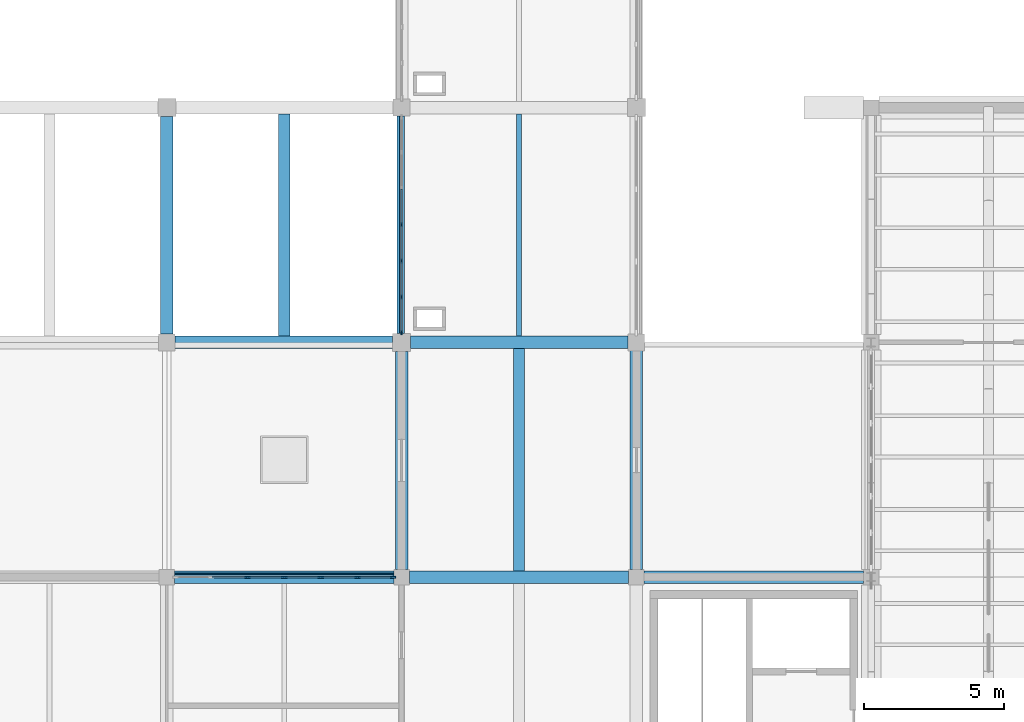
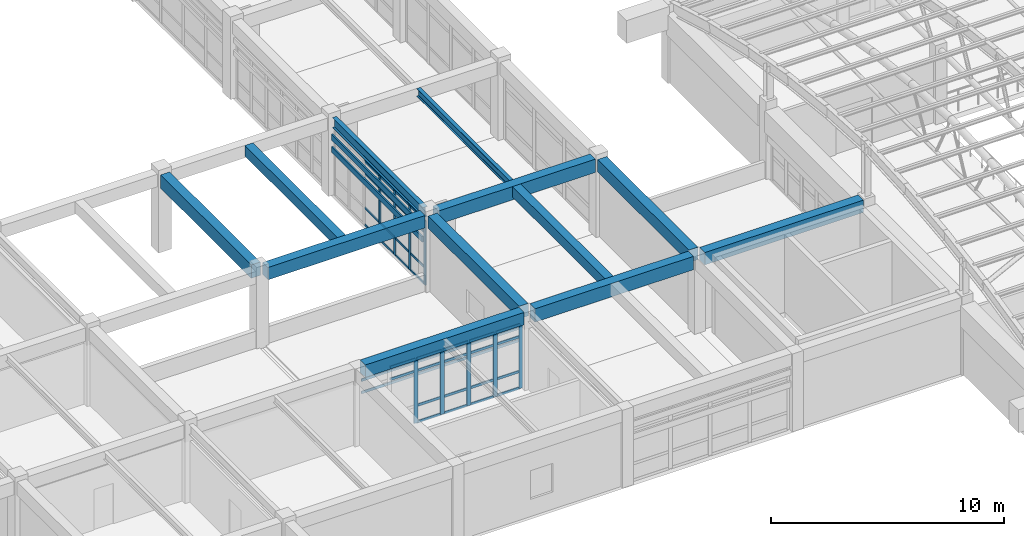
# One storey, part 15 of 74: 47 members, 12 beams, 2 elements without a shape of their own.
"""IFC4 building model written with IfcOpenShell, lengths in metres."""

from ifc_helpers import new_model, si_unit, direction, frame, origin, origin_2d, place, context, subcontext, project, spatial, rectangle, i_section, extrude, material, layer, layer_set, material_profile, profile_set, type_object, element, aggregate, save


model = new_model("IFC4")

# Units and contexts
model_context = context("Model", 3, precision=1e-05, world=origin(), true_north=direction((0.0, 1.0)))
body_context = subcontext(model_context, "Body", "Model", "MODEL_VIEW")
ifc_project = project(units=[si_unit("LENGTHUNIT", "METRE"), si_unit("AREAUNIT", "SQUARE_METRE"), si_unit("VOLUMEUNIT", "CUBIC_METRE"), si_unit("PLANEANGLEUNIT", "RADIAN"), si_unit("MASSUNIT", "GRAM", prefix="KILO")], contexts=[model_context])

# Site, building, storey
site_placement = place(None, origin())
site = spatial("IfcSite", under=ifc_project, at=site_placement, CompositionType="ELEMENT")
building_placement = place(site_placement, origin())
building = spatial("IfcBuilding", under=site, at=building_placement, Name="Porcellanite Civic Hall", CompositionType="ELEMENT")
storey_placement = place(building_placement, frame((0.0, 0.0, 14.760009765625)))
storey = spatial("IfcBuildingStorey", under=building, at=storey_placement, Name="L03", CompositionType="ELEMENT", Elevation=14.760009765625)

# Beams
ifc_material_1 = material(Name="Concrete N50 (50 MPa)", Category="concrete")
ifc_material_profile_1 = material_profile(ifc_material_1, rectangle(XDim=0.39990234375, YDim=0.550048828125, at=origin_2d()), Name="RC-400x550")
ifc_profile_set_1 = profile_set([ifc_material_profile_1], Name="Concrete N50 (50 MPa)")
beam_type_1 = type_object("IfcBeamType", Name="BM-RC550", PredefinedType="JOIST", material=ifc_profile_set_1)
beam_1_placement = place(storey_placement, frame((46.199951171875, 67.424560546875, 3.794921875), z_axis=(0.0, 1.0, 0.0), x_axis=(-1.0, 0.0, 0.0)))
element("IfcBeam", 1, at=beam_1_placement, inside=storey, type_object=beam_type_1, Name="Secondary joist L03 6-9", PredefinedType="JOIST", context=body_context, shape_type="SweptSolid", body=[
    extrude(rectangle(XDim=0.39990234375, YDim=0.550048828125, at=origin_2d()), origin(), (0.0, 0.0, 1.0), 7.950927734375),
])
beam_2_placement = place(storey_placement, frame((54.60009765625, 59.0244140625, 3.794921875), z_axis=(0.0, 1.0, 0.0), x_axis=(-1.0, 0.0, 0.0)))
element("IfcBeam", 2, at=beam_2_placement, inside=storey, type_object=beam_type_1, Name="Secondary joist L03 7-8", PredefinedType="JOIST", context=body_context, shape_type="SweptSolid", body=[
    extrude(rectangle(XDim=0.39990234375, YDim=0.550048828125, at=origin_2d()), origin(), (0.0, 0.0, 1.0), 7.951171875),
])
ifc_material_2 = material(Name="Concrete N50 (50 MPa)", Category="concrete")
ifc_material_profile_2 = material_profile(ifc_material_2, rectangle(XDim=0.449951171875, YDim=0.64990234375, at=origin_2d()), Name="RC-450x650")
ifc_profile_set_2 = profile_set([ifc_material_profile_2], Name="Concrete N50 (50 MPa)")
beam_type_2 = type_object("IfcBeamType", Name="BM-RC650", PredefinedType="SPANDREL", material=ifc_profile_set_2)
beam_3_placement = place(storey_placement, frame((42.2744140625, 58.800048828125, 3.744873046875), z_axis=(1.0, 0.0, 0.0), x_axis=(0.0, 1.0, 0.0)))
element("IfcBeam", 3, at=beam_3_placement, inside=storey, type_object=beam_type_2, Name="Beam X L03 6-8", PredefinedType="SPANDREL", context=body_context, shape_type="SweptSolid", body=[
    extrude(rectangle(XDim=0.449951171875, YDim=0.64990234375, at=origin_2d()), origin(), (0.0, 0.0, 1.0), 7.85107421875),
])
beam_4_placement = place(storey_placement, frame((42.299560546875, 67.199951171875, 3.744873046875), z_axis=(1.0, 0.0, 0.0), x_axis=(0.0, 1.0, 0.0)))
element("IfcBeam", 4, at=beam_4_placement, inside=storey, type_object=beam_type_2, Name="Beam X L03 6-9", PredefinedType="SPANDREL", context=body_context, shape_type="SweptSolid", body=[
    extrude(rectangle(XDim=0.449951171875, YDim=0.64990234375, at=origin_2d()), origin(), (0.0, 0.0, 1.0), 7.77587890625),
])
beam_5_placement = place(storey_placement, frame((59.074462890625, 58.800048828125, 3.744873046875), z_axis=(1.0, 0.0, 0.0), x_axis=(0.0, 1.0, 0.0)))
element("IfcBeam", 5, at=beam_5_placement, inside=storey, type_object=beam_type_2, Name="Beam X L03 8-8", PredefinedType="SPANDREL", context=body_context, shape_type="SweptSolid", body=[
    extrude(rectangle(XDim=0.449951171875, YDim=0.64990234375, at=origin_2d()), origin(), (0.0, 0.0, 1.0), 7.85107421875),
])
beam_6_placement = place(storey_placement, frame((50.39990234375, 59.074462890625, 3.744873046875), z_axis=(0.0, 1.0, 0.0), x_axis=(-1.0, 0.0, 0.0)))
element("IfcBeam", 6, at=beam_6_placement, inside=storey, type_object=beam_type_2, Name="Beam Y L03 7-8", PredefinedType="SPANDREL", context=body_context, shape_type="SweptSolid", body=[
    extrude(rectangle(XDim=0.449951171875, YDim=0.64990234375, at=origin_2d()), origin(), (0.0, 0.0, 1.0), 7.801025390625),
])
beam_7_placement = place(storey_placement, frame((58.800048828125, 59.074462890625, 3.744873046875), z_axis=(0.0, 1.0, 0.0), x_axis=(-1.0, 0.0, 0.0)))
element("IfcBeam", 7, at=beam_7_placement, inside=storey, type_object=beam_type_2, Name="Beam Y L03 8-8", PredefinedType="SPANDREL", context=body_context, shape_type="SweptSolid", body=[
    extrude(rectangle(XDim=0.449951171875, YDim=0.64990234375, at=origin_2d()), origin(), (0.0, 0.0, 1.0), 7.825927734375),
])
ifc_material_3 = material(Name="Concrete N50 (50 MPa)", Category="concrete")
ifc_material_profile_3 = material_profile(ifc_material_3, rectangle(XDim=0.449951171875, YDim=0.699951171875, at=origin_2d()), Name="RC-450x700")
ifc_profile_set_3 = profile_set([ifc_material_profile_3], Name="Concrete N50 (50 MPa)")
beam_type_3 = type_object("IfcBeamType", Name="BM-RC700", PredefinedType="BEAM", material=ifc_profile_set_3)
beam_8_placement = place(storey_placement, frame((50.674560546875, 58.800048828125, 3.719970703125), z_axis=(1.0, 0.0, 0.0), x_axis=(0.0, 1.0, 0.0)))
element("IfcBeam", 8, at=beam_8_placement, inside=storey, type_object=beam_type_3, Name="Beam X L03 7-8", PredefinedType="BEAM", context=body_context, shape_type="SweptSolid", body=[
    extrude(rectangle(XDim=0.449951171875, YDim=0.699951171875, at=origin_2d()), origin(), (0.0, 0.0, 1.0), 7.850830078125),
])
for number, where, z_axis, x_axis, name in (
    (9, (50.724609375, 67.199951171875, 3.719970703125), (1.0, 0.0, 0.0), (0.0, 1.0, 0.0), "Beam X L03 7-9"),
    (10, (42.0, 67.49951171875, 3.719970703125), (0.0, 1.0, 0.0), (-1.0, 0.0, 0.0), "Beam Y L03 6-9"),
):
    element("IfcBeam", number, at=place(storey_placement, frame(where, z_axis=z_axis, x_axis=x_axis)), inside=storey, type_object=beam_type_3, Name=name, PredefinedType="BEAM", context=body_context, shape_type="SweptSolid", body=[
        extrude(rectangle(XDim=0.449951171875, YDim=0.699951171875, at=origin_2d()), origin(), (0.0, 0.0, 1.0), 7.77587890625),
    ])

# Curtain wall, members
ifc_material_4 = material(Name="Anodised aluminium and solar laminated glass", Category="aluminium")
ifc_layer_1 = layer(ifc_material_4, 0.179931640625)
ifc_layer_set_1 = layer_set([ifc_layer_1], Name="Anodised aluminium and solar laminated glass")
curtain_wall_type_1 = type_object("IfcCurtainWallType", Name="CW-SYS01", PredefinedType="NOTDEFINED", material=ifc_layer_set_1)
curtain_wall_1_placement = place(storey_placement, origin())
curtain_wall_1 = element("IfcCurtainWall", 11, at=curtain_wall_1_placement, inside=storey, type_object=curtain_wall_type_1, Name="Curtain wall CW-191", PredefinedType="NOTDEFINED")
ifc_material_5 = material(Name="Anodised aluminium 6063-T6", Category="aluminium")
ifc_material_profile_4 = material_profile(ifc_material_5, rectangle(XDim=0.070068359375, YDim=0.199951171875, at=origin_2d()), Name="AL-70x200")
ifc_profile_set_4 = profile_set([ifc_material_profile_4], Name="Anodised aluminium 6063-T6")
member_type_1 = type_object("IfcMemberType", Name="CWM-05", PredefinedType="MULLION", material=ifc_profile_set_4)
member_1_placement = place(storey_placement, frame((44.89208984375, 58.800048828125, 0.0), z_axis=(0.0, 0.0, 1.0), x_axis=(0.0, 1.0, 0.0)))
member_1 = element("IfcMember", 12, at=member_1_placement, type_object=member_type_1, Name="CW-191 mullion 3", PredefinedType="MULLION", context=body_context, shape_type="SweptSolid", body=[
    extrude(rectangle(XDim=0.070068359375, YDim=0.199951171875, at=origin_2d()), origin(), (0.0, 0.0, 1.0), 3.369873046875),
])
member_2_placement = place(storey_placement, frame((46.199951171875, 58.800048828125, 0.0), z_axis=(0.0, 0.0, 1.0), x_axis=(0.0, 1.0, 0.0)))
member_2 = element("IfcMember", 13, at=member_2_placement, type_object=member_type_1, Name="CW-191 mullion 4", PredefinedType="MULLION", context=body_context, shape_type="SweptSolid", body=[
    extrude(rectangle(XDim=0.070068359375, YDim=0.199951171875, at=origin_2d()), origin(), (0.0, 0.0, 1.0), 3.369873046875),
])
member_3_placement = place(storey_placement, frame((47.508056640625, 58.800048828125, 0.0), z_axis=(0.0, 0.0, 1.0), x_axis=(0.0, 1.0, 0.0)))
member_3 = element("IfcMember", 14, at=member_3_placement, type_object=member_type_1, Name="CW-191 mullion 5", PredefinedType="MULLION", context=body_context, shape_type="SweptSolid", body=[
    extrude(rectangle(XDim=0.070068359375, YDim=0.199951171875, at=origin_2d()), origin(), (0.0, 0.0, 1.0), 3.369873046875),
])
member_4_placement = place(storey_placement, frame((48.81591796875, 58.800048828125, 0.0), z_axis=(0.0, 0.0, 1.0), x_axis=(0.0, 1.0, 0.0)))
member_4 = element("IfcMember", 15, at=member_4_placement, type_object=member_type_1, Name="CW-191 mullion 6", PredefinedType="MULLION", context=body_context, shape_type="SweptSolid", body=[
    extrude(rectangle(XDim=0.070068359375, YDim=0.199951171875, at=origin_2d()), origin(), (0.0, 0.0, 1.0), 3.369873046875),
])
member_5_placement = place(storey_placement, frame((50.089111328125, 58.800048828125, 0.0), z_axis=(0.0, 0.0, 1.0), x_axis=(0.0, 1.0, 0.0)))
member_5 = element("IfcMember", 16, at=member_5_placement, type_object=member_type_1, Name="CW-191 mullion 7", PredefinedType="MULLION", context=body_context, shape_type="SweptSolid", body=[
    extrude(rectangle(XDim=0.070068359375, YDim=0.199951171875, at=origin_2d()), origin(), (0.0, 0.0, 1.0), 3.369873046875),
])

ifc_material_6 = material(Name="Anodised aluminium and solar laminated glass", Category="aluminium")
ifc_layer_2 = layer(ifc_material_6, 0.179931640625)
ifc_layer_set_2 = layer_set([ifc_layer_2], Name="Anodised aluminium and solar laminated glass")
curtain_wall_type_2 = type_object("IfcCurtainWallType", Name="CW-SYS07", PredefinedType="NOTDEFINED", material=ifc_layer_set_2)
curtain_wall_2_placement = place(storey_placement, origin())
curtain_wall_2 = element("IfcCurtainWall", 17, at=curtain_wall_2_placement, inside=storey, type_object=curtain_wall_type_2, Name="Curtain wall CW-195", PredefinedType="NOTDEFINED")
ifc_material_7 = material(Name="Anodised aluminium 6063-T6", Category="aluminium")
ifc_material_profile_5 = material_profile(ifc_material_7, rectangle(XDim=0.06005859375, YDim=0.159912109375, at=origin_2d()), Name="AL-60x160")
ifc_profile_set_5 = profile_set([ifc_material_profile_5], Name="Anodised aluminium 6063-T6")
member_type_2 = type_object("IfcMemberType", Name="CWM-07", PredefinedType="MULLION", material=ifc_profile_set_5)
member_6_placement = place(storey_placement, frame((50.39990234375, 67.555908203125, 0.0), z_axis=(0.0, 0.0, 1.0), x_axis=(-1.0, 0.0, 0.0)))
member_6 = element("IfcMember", 18, at=member_6_placement, type_object=member_type_2, Name="CW-195 mullion 1", PredefinedType="MULLION", context=body_context, shape_type="SweptSolid", body=[
    extrude(rectangle(XDim=0.06005859375, YDim=0.159912109375, at=origin_2d()), origin(), (0.0, 0.0, 1.0), 3.369873046875),
])
member_7_placement = place(storey_placement, frame((50.39990234375, 68.821533203125, 0.0), z_axis=(0.0, 0.0, 1.0), x_axis=(-1.0, 0.0, 0.0)))
member_7 = element("IfcMember", 19, at=member_7_placement, type_object=member_type_2, Name="CW-195 mullion 2", PredefinedType="MULLION", context=body_context, shape_type="SweptSolid", body=[
    extrude(rectangle(XDim=0.06005859375, YDim=0.159912109375, at=origin_2d()), origin(), (0.0, 0.0, 1.0), 3.369873046875),
])
member_8_placement = place(storey_placement, frame((50.39990234375, 70.116943359375, 0.0), z_axis=(0.0, 0.0, 1.0), x_axis=(-1.0, 0.0, 0.0)))
member_8 = element("IfcMember", 20, at=member_8_placement, type_object=member_type_2, Name="CW-195 mullion 3", PredefinedType="MULLION", context=body_context, shape_type="SweptSolid", body=[
    extrude(rectangle(XDim=0.06005859375, YDim=0.159912109375, at=origin_2d()), origin(), (0.0, 0.0, 1.0), 3.369873046875),
])
member_9_placement = place(storey_placement, frame((50.39990234375, 71.41259765625, 0.0), z_axis=(0.0, 0.0, 1.0), x_axis=(-1.0, 0.0, 0.0)))
member_9 = element("IfcMember", 21, at=member_9_placement, type_object=member_type_2, Name="CW-195 mullion 4", PredefinedType="MULLION", context=body_context, shape_type="SweptSolid", body=[
    extrude(rectangle(XDim=0.06005859375, YDim=0.159912109375, at=origin_2d()), origin(), (0.0, 0.0, 1.0), 3.369873046875),
])

# Member
ifc_material_8 = material(Name="Anodised aluminium 6063-T6", Category="aluminium")
ifc_material_profile_6 = material_profile(ifc_material_8, rectangle(XDim=0.06005859375, YDim=0.1298828125, at=origin_2d()), Name="AL-60x130")
ifc_profile_set_6 = profile_set([ifc_material_profile_6], Name="Anodised aluminium 6063-T6")
member_type_3 = type_object("IfcMemberType", Name="CWT-03", PredefinedType="USERDEFINED", material=ifc_profile_set_6)
member_10_placement = place(storey_placement, frame((43.618896484375, 58.800048828125, 2.719970703125), z_axis=(1.0, 0.0, 0.0), x_axis=(0.0, 1.0, 0.0)))
member_10 = element("IfcMember", 22, at=member_10_placement, type_object=member_type_3, Name="CW-191 transom 2.3", ObjectType="TRANSOM", PredefinedType="USERDEFINED", context=body_context, shape_type="SweptSolid", body=[
    extrude(rectangle(XDim=0.06005859375, YDim=0.1298828125, at=origin_2d()), origin(), (0.0, 0.0, 1.0), 1.238037109375),
])

member_11_placement = place(storey_placement, frame((43.618896484375, 58.800048828125, 3.340087890625), z_axis=(1.0, 0.0, 0.0), x_axis=(0.0, 1.0, 0.0)))
member_11 = element("IfcMember", 23, at=member_11_placement, type_object=member_type_3, Name="CW-191 transom 2.4", ObjectType="TRANSOM", PredefinedType="USERDEFINED", context=body_context, shape_type="SweptSolid", body=[
    extrude(rectangle(XDim=0.06005859375, YDim=0.1298828125, at=origin_2d()), origin(), (0.0, 0.0, 1.0), 1.238037109375),
])

member_12_placement = place(storey_placement, frame((44.927001953125, 58.800048828125, 0.030029296875), z_axis=(1.0, 0.0, 0.0), x_axis=(0.0, 1.0, 0.0)))
member_12 = element("IfcMember", 24, at=member_12_placement, type_object=member_type_3, Name="CW-191 transom 3.1", ObjectType="TRANSOM", PredefinedType="USERDEFINED", context=body_context, shape_type="SweptSolid", body=[
    extrude(rectangle(XDim=0.06005859375, YDim=0.1298828125, at=origin_2d()), origin(), (0.0, 0.0, 1.0), 1.238037109375),
])

member_13_placement = place(storey_placement, frame((44.927001953125, 58.800048828125, 0.89990234375), z_axis=(1.0, 0.0, 0.0), x_axis=(0.0, 1.0, 0.0)))
member_13 = element("IfcMember", 25, at=member_13_placement, type_object=member_type_3, Name="CW-191 transom 3.2", ObjectType="TRANSOM", PredefinedType="USERDEFINED", context=body_context, shape_type="SweptSolid", body=[
    extrude(rectangle(XDim=0.06005859375, YDim=0.1298828125, at=origin_2d()), origin(), (0.0, 0.0, 1.0), 1.238037109375),
])

member_14_placement = place(storey_placement, frame((44.927001953125, 58.800048828125, 2.719970703125), z_axis=(1.0, 0.0, 0.0), x_axis=(0.0, 1.0, 0.0)))
member_14 = element("IfcMember", 26, at=member_14_placement, type_object=member_type_3, Name="CW-191 transom 3.3", ObjectType="TRANSOM", PredefinedType="USERDEFINED", context=body_context, shape_type="SweptSolid", body=[
    extrude(rectangle(XDim=0.06005859375, YDim=0.1298828125, at=origin_2d()), origin(), (0.0, 0.0, 1.0), 1.238037109375),
])

member_15_placement = place(storey_placement, frame((44.927001953125, 58.800048828125, 3.340087890625), z_axis=(1.0, 0.0, 0.0), x_axis=(0.0, 1.0, 0.0)))
member_15 = element("IfcMember", 27, at=member_15_placement, type_object=member_type_3, Name="CW-191 transom 3.4", ObjectType="TRANSOM", PredefinedType="USERDEFINED", context=body_context, shape_type="SweptSolid", body=[
    extrude(rectangle(XDim=0.06005859375, YDim=0.1298828125, at=origin_2d()), origin(), (0.0, 0.0, 1.0), 1.238037109375),
])

member_16_placement = place(storey_placement, frame((46.235107421875, 58.800048828125, 0.030029296875), z_axis=(1.0, 0.0, 0.0), x_axis=(0.0, 1.0, 0.0)))
member_16 = element("IfcMember", 28, at=member_16_placement, type_object=member_type_3, Name="CW-191 transom 4.1", ObjectType="TRANSOM", PredefinedType="USERDEFINED", context=body_context, shape_type="SweptSolid", body=[
    extrude(rectangle(XDim=0.06005859375, YDim=0.1298828125, at=origin_2d()), origin(), (0.0, 0.0, 1.0), 1.23779296875),
])

member_17_placement = place(storey_placement, frame((46.235107421875, 58.800048828125, 0.89990234375), z_axis=(1.0, 0.0, 0.0), x_axis=(0.0, 1.0, 0.0)))
member_17 = element("IfcMember", 29, at=member_17_placement, type_object=member_type_3, Name="CW-191 transom 4.2", ObjectType="TRANSOM", PredefinedType="USERDEFINED", context=body_context, shape_type="SweptSolid", body=[
    extrude(rectangle(XDim=0.06005859375, YDim=0.1298828125, at=origin_2d()), origin(), (0.0, 0.0, 1.0), 1.23779296875),
])

member_18_placement = place(storey_placement, frame((46.235107421875, 58.800048828125, 2.719970703125), z_axis=(1.0, 0.0, 0.0), x_axis=(0.0, 1.0, 0.0)))
member_18 = element("IfcMember", 30, at=member_18_placement, type_object=member_type_3, Name="CW-191 transom 4.3", ObjectType="TRANSOM", PredefinedType="USERDEFINED", context=body_context, shape_type="SweptSolid", body=[
    extrude(rectangle(XDim=0.06005859375, YDim=0.1298828125, at=origin_2d()), origin(), (0.0, 0.0, 1.0), 1.23779296875),
])

member_19_placement = place(storey_placement, frame((46.235107421875, 58.800048828125, 3.340087890625), z_axis=(1.0, 0.0, 0.0), x_axis=(0.0, 1.0, 0.0)))
member_19 = element("IfcMember", 31, at=member_19_placement, type_object=member_type_3, Name="CW-191 transom 4.4", ObjectType="TRANSOM", PredefinedType="USERDEFINED", context=body_context, shape_type="SweptSolid", body=[
    extrude(rectangle(XDim=0.06005859375, YDim=0.1298828125, at=origin_2d()), origin(), (0.0, 0.0, 1.0), 1.23779296875),
])

member_20_placement = place(storey_placement, frame((47.54296875, 58.800048828125, 0.030029296875), z_axis=(1.0, 0.0, 0.0), x_axis=(0.0, 1.0, 0.0)))
member_20 = element("IfcMember", 32, at=member_20_placement, type_object=member_type_3, Name="CW-191 transom 5.1", ObjectType="TRANSOM", PredefinedType="USERDEFINED", context=body_context, shape_type="SweptSolid", body=[
    extrude(rectangle(XDim=0.06005859375, YDim=0.1298828125, at=origin_2d()), origin(), (0.0, 0.0, 1.0), 1.238037109375),
])

member_21_placement = place(storey_placement, frame((47.54296875, 58.800048828125, 0.89990234375), z_axis=(1.0, 0.0, 0.0), x_axis=(0.0, 1.0, 0.0)))
member_21 = element("IfcMember", 33, at=member_21_placement, type_object=member_type_3, Name="CW-191 transom 5.2", ObjectType="TRANSOM", PredefinedType="USERDEFINED", context=body_context, shape_type="SweptSolid", body=[
    extrude(rectangle(XDim=0.06005859375, YDim=0.1298828125, at=origin_2d()), origin(), (0.0, 0.0, 1.0), 1.238037109375),
])

member_22_placement = place(storey_placement, frame((47.54296875, 58.800048828125, 2.719970703125), z_axis=(1.0, 0.0, 0.0), x_axis=(0.0, 1.0, 0.0)))
member_22 = element("IfcMember", 34, at=member_22_placement, type_object=member_type_3, Name="CW-191 transom 5.3", ObjectType="TRANSOM", PredefinedType="USERDEFINED", context=body_context, shape_type="SweptSolid", body=[
    extrude(rectangle(XDim=0.06005859375, YDim=0.1298828125, at=origin_2d()), origin(), (0.0, 0.0, 1.0), 1.238037109375),
])

member_23_placement = place(storey_placement, frame((47.54296875, 58.800048828125, 3.340087890625), z_axis=(1.0, 0.0, 0.0), x_axis=(0.0, 1.0, 0.0)))
member_23 = element("IfcMember", 35, at=member_23_placement, type_object=member_type_3, Name="CW-191 transom 5.4", ObjectType="TRANSOM", PredefinedType="USERDEFINED", context=body_context, shape_type="SweptSolid", body=[
    extrude(rectangle(XDim=0.06005859375, YDim=0.1298828125, at=origin_2d()), origin(), (0.0, 0.0, 1.0), 1.238037109375),
])

member_24_placement = place(storey_placement, frame((48.85107421875, 58.800048828125, 0.030029296875), z_axis=(1.0, 0.0, 0.0), x_axis=(0.0, 1.0, 0.0)))
member_24 = element("IfcMember", 36, at=member_24_placement, type_object=member_type_3, Name="CW-191 transom 6.1", ObjectType="TRANSOM", PredefinedType="USERDEFINED", context=body_context, shape_type="SweptSolid", body=[
    extrude(rectangle(XDim=0.06005859375, YDim=0.1298828125, at=origin_2d()), origin(), (0.0, 0.0, 1.0), 1.202880859375),
])

member_25_placement = place(storey_placement, frame((48.85107421875, 58.800048828125, 0.89990234375), z_axis=(1.0, 0.0, 0.0), x_axis=(0.0, 1.0, 0.0)))
member_25 = element("IfcMember", 37, at=member_25_placement, type_object=member_type_3, Name="CW-191 transom 6.2", ObjectType="TRANSOM", PredefinedType="USERDEFINED", context=body_context, shape_type="SweptSolid", body=[
    extrude(rectangle(XDim=0.06005859375, YDim=0.1298828125, at=origin_2d()), origin(), (0.0, 0.0, 1.0), 1.202880859375),
])

member_26_placement = place(storey_placement, frame((48.85107421875, 58.800048828125, 2.719970703125), z_axis=(1.0, 0.0, 0.0), x_axis=(0.0, 1.0, 0.0)))
member_26 = element("IfcMember", 38, at=member_26_placement, type_object=member_type_3, Name="CW-191 transom 6.3", ObjectType="TRANSOM", PredefinedType="USERDEFINED", context=body_context, shape_type="SweptSolid", body=[
    extrude(rectangle(XDim=0.06005859375, YDim=0.1298828125, at=origin_2d()), origin(), (0.0, 0.0, 1.0), 1.202880859375),
])

member_27_placement = place(storey_placement, frame((48.85107421875, 58.800048828125, 3.340087890625), z_axis=(1.0, 0.0, 0.0), x_axis=(0.0, 1.0, 0.0)))
member_27 = element("IfcMember", 39, at=member_27_placement, type_object=member_type_3, Name="CW-191 transom 6.4", ObjectType="TRANSOM", PredefinedType="USERDEFINED", context=body_context, shape_type="SweptSolid", body=[
    extrude(rectangle(XDim=0.06005859375, YDim=0.1298828125, at=origin_2d()), origin(), (0.0, 0.0, 1.0), 1.202880859375),
])

aggregate(curtain_wall_1, [member_1, member_2, member_3, member_4, member_5, member_10, member_11, member_12, member_13, member_14, member_15, member_16, member_17, member_18, member_19, member_20, member_21, member_22, member_23, member_24, member_25, member_26, member_27])

ifc_material_9 = material(Name="Anodised aluminium 6063-T6", Category="aluminium")
ifc_material_profile_7 = material_profile(ifc_material_9, rectangle(XDim=0.050048828125, YDim=0.110107421875, at=origin_2d()), Name="AL-50x110")
ifc_profile_set_7 = profile_set([ifc_material_profile_7], Name="Anodised aluminium 6063-T6")
member_type_4 = type_object("IfcMemberType", Name="CWT-07", PredefinedType="USERDEFINED", material=ifc_profile_set_7)
member_28_placement = place(storey_placement, frame((50.39990234375, 67.5859375, 0.02490234375), z_axis=(0.0, 1.0, 0.0), x_axis=(-1.0, 0.0, 0.0)))
member_28 = element("IfcMember", 40, at=member_28_placement, type_object=member_type_4, Name="CW-195 transom 1.1", ObjectType="TRANSOM", PredefinedType="USERDEFINED", context=body_context, shape_type="SweptSolid", body=[
    extrude(rectangle(XDim=0.050048828125, YDim=0.110107421875, at=origin_2d()), origin(), (0.0, 0.0, 1.0), 1.20556640625),
])

member_29_placement = place(storey_placement, frame((50.39990234375, 67.5859375, 0.89990234375), z_axis=(0.0, 1.0, 0.0), x_axis=(-1.0, 0.0, 0.0)))
member_29 = element("IfcMember", 41, at=member_29_placement, type_object=member_type_4, Name="CW-195 transom 1.2", ObjectType="TRANSOM", PredefinedType="USERDEFINED", context=body_context, shape_type="SweptSolid", body=[
    extrude(rectangle(XDim=0.050048828125, YDim=0.110107421875, at=origin_2d()), origin(), (0.0, 0.0, 1.0), 1.20556640625),
])

member_30_placement = place(storey_placement, frame((50.39990234375, 67.5859375, 2.719970703125), z_axis=(0.0, 1.0, 0.0), x_axis=(-1.0, 0.0, 0.0)))
member_30 = element("IfcMember", 42, at=member_30_placement, type_object=member_type_4, Name="CW-195 transom 1.3", ObjectType="TRANSOM", PredefinedType="USERDEFINED", context=body_context, shape_type="SweptSolid", body=[
    extrude(rectangle(XDim=0.050048828125, YDim=0.110107421875, at=origin_2d()), origin(), (0.0, 0.0, 1.0), 1.20556640625),
])

member_31_placement = place(storey_placement, frame((50.39990234375, 67.5859375, 3.344970703125), z_axis=(0.0, 1.0, 0.0), x_axis=(-1.0, 0.0, 0.0)))
member_31 = element("IfcMember", 43, at=member_31_placement, type_object=member_type_4, Name="CW-195 transom 1.4", ObjectType="TRANSOM", PredefinedType="USERDEFINED", context=body_context, shape_type="SweptSolid", body=[
    extrude(rectangle(XDim=0.050048828125, YDim=0.110107421875, at=origin_2d()), origin(), (0.0, 0.0, 1.0), 1.20556640625),
])

member_32_placement = place(storey_placement, frame((50.39990234375, 68.8515625, 0.02490234375), z_axis=(0.0, 1.0, 0.0), x_axis=(-1.0, 0.0, 0.0)))
member_32 = element("IfcMember", 44, at=member_32_placement, type_object=member_type_4, Name="CW-195 transom 2.1", ObjectType="TRANSOM", PredefinedType="USERDEFINED", context=body_context, shape_type="SweptSolid", body=[
    extrude(rectangle(XDim=0.050048828125, YDim=0.110107421875, at=origin_2d()), origin(), (0.0, 0.0, 1.0), 1.2353515625),
])

member_33_placement = place(storey_placement, frame((50.39990234375, 68.8515625, 0.89990234375), z_axis=(0.0, 1.0, 0.0), x_axis=(-1.0, 0.0, 0.0)))
member_33 = element("IfcMember", 45, at=member_33_placement, type_object=member_type_4, Name="CW-195 transom 2.2", ObjectType="TRANSOM", PredefinedType="USERDEFINED", context=body_context, shape_type="SweptSolid", body=[
    extrude(rectangle(XDim=0.050048828125, YDim=0.110107421875, at=origin_2d()), origin(), (0.0, 0.0, 1.0), 1.2353515625),
])

member_34_placement = place(storey_placement, frame((50.39990234375, 68.8515625, 2.719970703125), z_axis=(0.0, 1.0, 0.0), x_axis=(-1.0, 0.0, 0.0)))
member_34 = element("IfcMember", 46, at=member_34_placement, type_object=member_type_4, Name="CW-195 transom 2.3", ObjectType="TRANSOM", PredefinedType="USERDEFINED", context=body_context, shape_type="SweptSolid", body=[
    extrude(rectangle(XDim=0.050048828125, YDim=0.110107421875, at=origin_2d()), origin(), (0.0, 0.0, 1.0), 1.2353515625),
])

member_35_placement = place(storey_placement, frame((50.39990234375, 68.8515625, 3.344970703125), z_axis=(0.0, 1.0, 0.0), x_axis=(-1.0, 0.0, 0.0)))
member_35 = element("IfcMember", 47, at=member_35_placement, type_object=member_type_4, Name="CW-195 transom 2.4", ObjectType="TRANSOM", PredefinedType="USERDEFINED", context=body_context, shape_type="SweptSolid", body=[
    extrude(rectangle(XDim=0.050048828125, YDim=0.110107421875, at=origin_2d()), origin(), (0.0, 0.0, 1.0), 1.2353515625),
])

member_36_placement = place(storey_placement, frame((50.39990234375, 70.14697265625, 0.02490234375), z_axis=(0.0, 1.0, 0.0), x_axis=(-1.0, 0.0, 0.0)))
member_36 = element("IfcMember", 48, at=member_36_placement, type_object=member_type_4, Name="CW-195 transom 3.1", ObjectType="TRANSOM", PredefinedType="USERDEFINED", context=body_context, shape_type="SweptSolid", body=[
    extrude(rectangle(XDim=0.050048828125, YDim=0.110107421875, at=origin_2d()), origin(), (0.0, 0.0, 1.0), 1.235595703125),
])

member_37_placement = place(storey_placement, frame((50.39990234375, 70.14697265625, 0.89990234375), z_axis=(0.0, 1.0, 0.0), x_axis=(-1.0, 0.0, 0.0)))
member_37 = element("IfcMember", 49, at=member_37_placement, type_object=member_type_4, Name="CW-195 transom 3.2", ObjectType="TRANSOM", PredefinedType="USERDEFINED", context=body_context, shape_type="SweptSolid", body=[
    extrude(rectangle(XDim=0.050048828125, YDim=0.110107421875, at=origin_2d()), origin(), (0.0, 0.0, 1.0), 1.235595703125),
])

member_38_placement = place(storey_placement, frame((50.39990234375, 70.14697265625, 2.719970703125), z_axis=(0.0, 1.0, 0.0), x_axis=(-1.0, 0.0, 0.0)))
member_38 = element("IfcMember", 50, at=member_38_placement, type_object=member_type_4, Name="CW-195 transom 3.3", ObjectType="TRANSOM", PredefinedType="USERDEFINED", context=body_context, shape_type="SweptSolid", body=[
    extrude(rectangle(XDim=0.050048828125, YDim=0.110107421875, at=origin_2d()), origin(), (0.0, 0.0, 1.0), 1.235595703125),
])

member_39_placement = place(storey_placement, frame((50.39990234375, 70.14697265625, 3.344970703125), z_axis=(0.0, 1.0, 0.0), x_axis=(-1.0, 0.0, 0.0)))
member_39 = element("IfcMember", 51, at=member_39_placement, type_object=member_type_4, Name="CW-195 transom 3.4", ObjectType="TRANSOM", PredefinedType="USERDEFINED", context=body_context, shape_type="SweptSolid", body=[
    extrude(rectangle(XDim=0.050048828125, YDim=0.110107421875, at=origin_2d()), origin(), (0.0, 0.0, 1.0), 1.235595703125),
])

member_40_placement = place(storey_placement, frame((50.39990234375, 71.4423828125, 0.02490234375), z_axis=(0.0, 1.0, 0.0), x_axis=(-1.0, 0.0, 0.0)))
member_40 = element("IfcMember", 52, at=member_40_placement, type_object=member_type_4, Name="CW-195 transom 4.1", ObjectType="TRANSOM", PredefinedType="USERDEFINED", context=body_context, shape_type="SweptSolid", body=[
    extrude(rectangle(XDim=0.050048828125, YDim=0.110107421875, at=origin_2d()), origin(), (0.0, 0.0, 1.0), 1.235595703125),
])

member_41_placement = place(storey_placement, frame((50.39990234375, 71.4423828125, 0.89990234375), z_axis=(0.0, 1.0, 0.0), x_axis=(-1.0, 0.0, 0.0)))
member_41 = element("IfcMember", 53, at=member_41_placement, type_object=member_type_4, Name="CW-195 transom 4.2", ObjectType="TRANSOM", PredefinedType="USERDEFINED", context=body_context, shape_type="SweptSolid", body=[
    extrude(rectangle(XDim=0.050048828125, YDim=0.110107421875, at=origin_2d()), origin(), (0.0, 0.0, 1.0), 1.235595703125),
])

member_42_placement = place(storey_placement, frame((50.39990234375, 71.4423828125, 2.719970703125), z_axis=(0.0, 1.0, 0.0), x_axis=(-1.0, 0.0, 0.0)))
member_42 = element("IfcMember", 54, at=member_42_placement, type_object=member_type_4, Name="CW-195 transom 4.3", ObjectType="TRANSOM", PredefinedType="USERDEFINED", context=body_context, shape_type="SweptSolid", body=[
    extrude(rectangle(XDim=0.050048828125, YDim=0.110107421875, at=origin_2d()), origin(), (0.0, 0.0, 1.0), 1.235595703125),
])

member_43_placement = place(storey_placement, frame((50.39990234375, 71.4423828125, 3.344970703125), z_axis=(0.0, 1.0, 0.0), x_axis=(-1.0, 0.0, 0.0)))
member_43 = element("IfcMember", 55, at=member_43_placement, type_object=member_type_4, Name="CW-195 transom 4.4", ObjectType="TRANSOM", PredefinedType="USERDEFINED", context=body_context, shape_type="SweptSolid", body=[
    extrude(rectangle(XDim=0.050048828125, YDim=0.110107421875, at=origin_2d()), origin(), (0.0, 0.0, 1.0), 1.235595703125),
])

aggregate(curtain_wall_2, [member_6, member_7, member_8, member_9, member_28, member_29, member_30, member_31, member_32, member_33, member_34, member_35, member_36, member_37, member_38, member_39, member_40, member_41, member_42, member_43])

# Beam
ifc_material_10 = material(Name="Steel Grade 350", Category="steel")
ifc_material_profile_8 = material_profile(ifc_material_10, i_section(OverallWidth=0.177978515625, OverallDepth=0.406005859375, WebThickness=0.0078125, FlangeThickness=0.0126953125, FilletRadius=0.011474609375, at=origin_2d()), Name="410UB59.7")
ifc_profile_set_8 = profile_set([ifc_material_profile_8], Name="Steel Grade 350")
beam_type_4 = type_object("IfcBeamType", Name="JST-410UB60", PredefinedType="JOIST", material=ifc_profile_set_8)
beam_9_placement = place(storey_placement, frame((54.60009765625, 67.424560546875, 3.866943359375), z_axis=(0.0, 1.0, 0.0), x_axis=(-1.0, 0.0, 0.0)))
element("IfcBeam", 56, at=beam_9_placement, inside=storey, type_object=beam_type_4, Name="Secondary joist L03 7-9", PredefinedType="JOIST", context=body_context, shape_type="SweptSolid", body=[
    extrude(i_section(OverallWidth=0.177978515625, OverallDepth=0.406005859375, WebThickness=0.0078125, FlangeThickness=0.0126953125, FilletRadius=0.011474609375, at=origin_2d()), origin(), (0.0, 0.0, 1.0), 7.950927734375),
])

# Members
ifc_material_11 = material(Name="Fluoropolymer bauxite-red aluminium 6063-T6", Category="aluminium")
ifc_material_profile_9 = material_profile(ifc_material_11, rectangle(XDim=0.074951171875, YDim=0.300048828125, at=origin_2d()), Name="AL-75x300")
ifc_profile_set_9 = profile_set([ifc_material_profile_9], Name="Fluoropolymer bauxite-red aluminium 6063-T6")
member_type_5 = type_object("IfcMemberType", Name="LV-BLD04", PredefinedType="USERDEFINED", material=ifc_profile_set_9)
for number, where, z_axis, x_axis, name in (
    (57, (50.280517578125, 67.5244140625, 3.070068359375), (0.0, 1.0, 0.0), (-1.0, 0.0, 0.0), "Cyclone sunshade louvre L03 W 6-8 1"),
    (58, (50.280517578125, 67.5244140625, 2.419921875), (0.0, 1.0, 0.0), (-1.0, 0.0, 0.0), "Cyclone sunshade louvre L03 W 6-8 2"),
):
    element("IfcMember", number, at=place(storey_placement, frame(where, z_axis=z_axis, x_axis=x_axis)), inside=storey, type_object=member_type_5, Name=name, ObjectType="LOUVRE BLADE", PredefinedType="USERDEFINED", context=body_context, shape_type="SweptSolid", body=[
        extrude(rectangle(XDim=0.074951171875, YDim=0.300048828125, at=origin_2d()), origin(), (0.0, 0.0, 1.0), 7.776123046875),
    ])
ifc_material_12 = material(Name="Fluoropolymer bauxite-red aluminium 6063-T6", Category="aluminium")
ifc_material_profile_10 = material_profile(ifc_material_12, rectangle(XDim=0.0400390625, YDim=0.139892578125, at=origin_2d()), Name="AL-40x140")
ifc_profile_set_10 = profile_set([ifc_material_profile_10], Name="Fluoropolymer bauxite-red aluminium 6063-T6")
member_type_6 = type_object("IfcMemberType", Name="LV-BLD12", PredefinedType="USERDEFINED", material=ifc_profile_set_10)
for number, where, z_axis, x_axis, name in (
    (59, (42.2744140625, 58.922119140625, 3.070068359375), (1.0, 0.0, 0.0), (0.0, 1.0, 0.0), "Cyclone sunshade louvre L03 N 5-6 1"),
    (60, (42.2744140625, 58.922119140625, 2.419921875), (1.0, 0.0, 0.0), (0.0, 1.0, 0.0), "Cyclone sunshade louvre L03 N 5-6 2"),
):
    element("IfcMember", number, at=place(storey_placement, frame(where, z_axis=z_axis, x_axis=x_axis)), inside=storey, type_object=member_type_6, Name=name, ObjectType="LOUVRE BLADE", PredefinedType="USERDEFINED", context=body_context, shape_type="SweptSolid", body=[
        extrude(rectangle(XDim=0.0400390625, YDim=0.139892578125, at=origin_2d()), origin(), (0.0, 0.0, 1.0), 7.85107421875),
    ])

# Beam
ifc_material_13 = material(Name="Steel Grade 350", Category="steel")
ifc_material_profile_11 = material_profile(ifc_material_13, i_section(OverallWidth=0.208984375, OverallDepth=0.528076171875, WebThickness=0.009521484375, FlangeThickness=0.01318359375, FilletRadius=0.013916015625, at=origin_2d()), Name="530UB82.0")
ifc_profile_set_11 = profile_set([ifc_material_profile_11], Name="Steel Grade 350")
beam_type_5 = type_object("IfcBeamType", Name="RAF-530UB82", PredefinedType="BEAM", material=ifc_profile_set_11)
beam_10_placement = place(storey_placement, frame((50.39990234375, 67.5244140625, 3.805908203125), z_axis=(0.0, 1.0, 0.0), x_axis=(-1.0, 0.0, 0.0)))
element("IfcBeam", 61, at=beam_10_placement, inside=storey, type_object=beam_type_5, Name="Beam Y L03 7-9", PredefinedType="BEAM", context=body_context, shape_type="SweptSolid", body=[
    extrude(i_section(OverallWidth=0.208984375, OverallDepth=0.528076171875, WebThickness=0.009521484375, FlangeThickness=0.01318359375, FilletRadius=0.013916015625, at=origin_2d()), origin(), (0.0, 0.0, 1.0), 7.776123046875),
])

save(model, "model.ifc")
